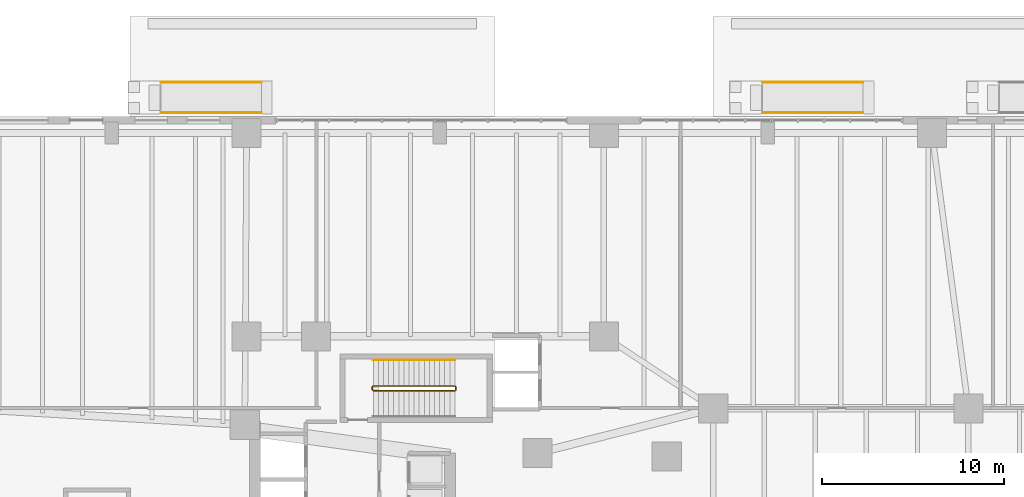
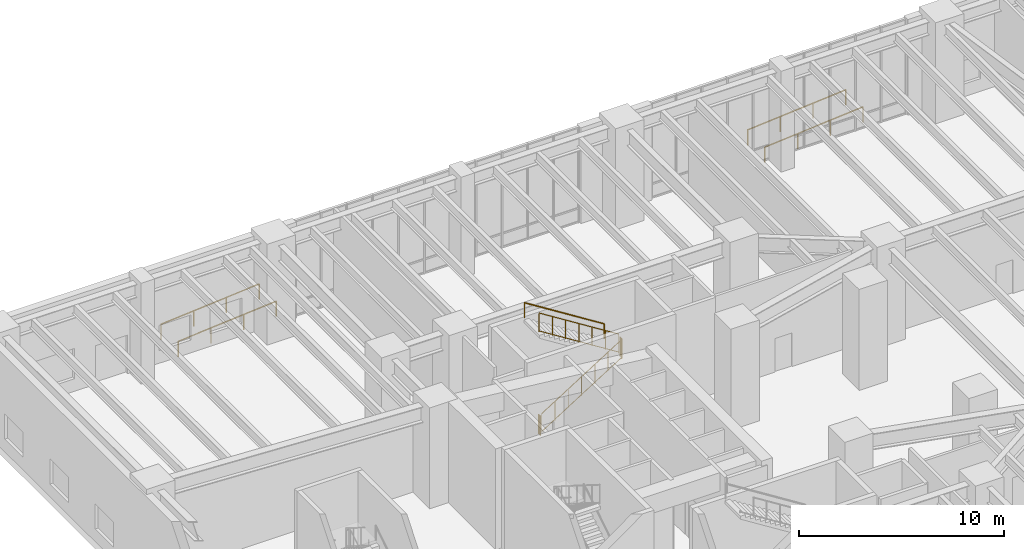
# One storey, part 26 of 28: 9 railings.
"""IFC4 building model written with IfcOpenShell, lengths in metres."""

from ifc_helpers import new_model, si_unit, direction, frame, origin, origin_2d, place, context, subcontext, project, spatial, circle, extrude, material, type_object, element, save


model = new_model("IFC4")

# Units and contexts
model_context = context("Model", 3, precision=1e-05, world=origin(), true_north=direction((0.0, 1.0)))
body_context = subcontext(model_context, "Body", "Model", "MODEL_VIEW")
ifc_project = project(units=[si_unit("LENGTHUNIT", "METRE"), si_unit("AREAUNIT", "SQUARE_METRE"), si_unit("VOLUMEUNIT", "CUBIC_METRE"), si_unit("PLANEANGLEUNIT", "RADIAN"), si_unit("MASSUNIT", "GRAM", prefix="KILO"), si_unit("THERMODYNAMICTEMPERATUREUNIT", "KELVIN"), si_unit("POWERUNIT", "WATT")], contexts=[model_context])

# Site, building, storey
site_placement = place(None, origin())
site = spatial("IfcSite", under=ifc_project, at=site_placement, CompositionType="ELEMENT")
building_placement = place(site_placement, origin())
building = spatial("IfcBuilding", under=site, at=building_placement, Name="Skarre Station Tower", CompositionType="ELEMENT")
storey_placement = place(building_placement, origin())
storey = spatial("IfcBuildingStorey", under=building, at=storey_placement, Name="L01", CompositionType="ELEMENT", Elevation=0.0)

# Railings
ifc_material = material(Name="Powder-Coated Tubular Steel", Category="steel")
railing_type_1 = type_object("IfcRailingType", Name="Painted Steel Ramp & Stair Handrail 920", PredefinedType="HANDRAIL", material=ifc_material)
railing_1_placement = place(storey_placement, frame((27.830078125, 34.64990234375, 3.176513671875)))
element("IfcRailing", 1, at=railing_1_placement, inside=storey, type_object=railing_type_1, Name="L01 ST-3 stair handrail 2", PredefinedType="HANDRAIL", context=body_context, shape_type="SweptSolid", body=[
    extrude(circle(Radius=0.02392578125, at=origin_2d()), frame((0.0, 0.0, 0.8759765625), z_axis=(-0.845997938375, 0.0, 0.533186166611), x_axis=(0.0, -1.0, 0.0)), (0.0, 0.0, 1.0), 5.29541015625),
    extrude(circle(Radius=0.02099609375, at=origin_2d()), origin(), (0.0, 0.0, 1.0), 0.851806640625),
    extrude(circle(Radius=0.02099609375, at=origin_2d()), frame((-4.47998046875, 0.0, 2.823486328125)), (0.0, 0.0, 1.0), 0.851806640625),
])
for number, where, name in (
    (2, (11.699951171875, 48.2099609375, -0.4599609375), "North Forecourt Accessible Ramp Handrail A"),
    (3, (11.699951171875, 49.889892578125, -0.4599609375), "North Forecourt Accessible Ramp Handrail B"),
    (4, (44.699951171875, 48.2099609375, -0.4599609375), "North Hospitality Drop-Off Accessible Ramp Handrail A"),
    (5, (44.699951171875, 49.889892578125, -0.4599609375), "North Hospitality Drop-Off Accessible Ramp Handrail B"),
):
    element("IfcRailing", number, at=place(storey_placement, frame(where)), inside=storey, type_object=railing_type_1, Name=name, PredefinedType="HANDRAIL", context=body_context, shape_type="SweptSolid", body=[
        extrude(circle(Radius=0.02392578125, at=origin_2d()), frame((0.0, 0.0, 0.89599609375), z_axis=(0.996546366156, 0.0, 0.083038184601), x_axis=(0.0, 1.0, 0.0)), (0.0, 0.0, 1.0), 5.5390625),
        extrude(circle(Radius=0.02099609375, at=origin_2d()), origin(), (0.0, 0.0, 1.0), 0.871826171875),
        extrude(circle(Radius=0.02099609375, at=origin_2d()), frame((1.840087890625, 0.0, 0.1533203125)), (0.0, 0.0, 1.0), 0.871826171875),
        extrude(circle(Radius=0.02099609375, at=origin_2d()), frame((3.679931640625, 0.0, 0.306640625)), (0.0, 0.0, 1.0), 0.871826171875),
        extrude(circle(Radius=0.02099609375, at=origin_2d()), frame((5.52001953125, 0.0, 0.4599609375)), (0.0, 0.0, 1.0), 0.871826171875),
    ])
railing_type_2 = type_object("IfcRailingType", Name="Painted Steel Stairwell Guardrail 1100", PredefinedType="GUARDRAIL", material=ifc_material)
railing_2_placement = place(storey_placement, frame((23.35009765625, 32.969970703125, 0.176513671875)))
element("IfcRailing", 6, at=railing_2_placement, inside=storey, type_object=railing_type_2, Name="L01 ST-3 stair guard 1", PredefinedType="GUARDRAIL", context=body_context, shape_type="SweptSolid", body=[
    extrude(circle(Radius=0.02392578125, at=origin_2d()), frame((0.0, 0.0, 1.1259765625), z_axis=(0.845997938375, 0.0, 0.533186166611), x_axis=(0.0, 1.0, 0.0)), (0.0, 0.0, 1.0), 5.29541015625),
    extrude(circle(Radius=0.02099609375, at=origin_2d()), frame((0.0, 0.0, 0.06005859375), z_axis=(0.845997938375, 0.0, 0.533186166611), x_axis=(0.0, 1.0, 0.0)), (0.0, 0.0, 1.0), 5.29541015625),
    extrude(circle(Radius=0.02099609375, at=origin_2d()), origin(), (0.0, 0.0, 1.0), 1.101806640625),
    extrude(circle(Radius=0.02099609375, at=origin_2d()), frame((0.74658203125, 0.0, 0.470703125)), (0.0, 0.0, 1.0), 1.101806640625),
    extrude(circle(Radius=0.02099609375, at=origin_2d()), frame((1.493408203125, 0.0, 0.941162109375)), (0.0, 0.0, 1.0), 1.101806640625),
    extrude(circle(Radius=0.02099609375, at=origin_2d()), frame((2.239990234375, 0.0, 1.41162109375)), (0.0, 0.0, 1.0), 1.101806640625),
    extrude(circle(Radius=0.02099609375, at=origin_2d()), frame((2.986572265625, 0.0, 1.88232421875)), (0.0, 0.0, 1.0), 1.101806640625),
    extrude(circle(Radius=0.02099609375, at=origin_2d()), frame((3.7333984375, 0.0, 2.35302734375)), (0.0, 0.0, 1.0), 1.101806640625),
    extrude(circle(Radius=0.02099609375, at=origin_2d()), frame((4.47998046875, 0.0, 2.823486328125)), (0.0, 0.0, 1.0), 1.101806640625),
])
railing_3_placement = place(storey_placement, frame((27.8798828125, 33.02001953125, 3.0)))
element("IfcRailing", 7, at=railing_3_placement, inside=storey, type_object=railing_type_2, Name="L01 ST-3 stair guard 2", PredefinedType="GUARDRAIL", context=body_context, shape_type="SweptSolid", body=[
    extrude(circle(Radius=0.02392578125, at=origin_2d()), frame((0.0, 0.0, 1.1259765625), z_axis=(0.0, 1.0, 0.0), x_axis=(-1.0, 0.0, 0.0)), (0.0, 0.0, 1.0), 0.159912109375),
    extrude(circle(Radius=0.02099609375, at=origin_2d()), frame((0.0, 0.0, 0.06005859375), z_axis=(0.0, 1.0, 0.0), x_axis=(-1.0, 0.0, 0.0)), (0.0, 0.0, 1.0), 0.159912109375),
    extrude(circle(Radius=0.02099609375, at=origin_2d()), origin(), (0.0, 0.0, 1.0), 1.101806640625),
    extrude(circle(Radius=0.02099609375, at=origin_2d()), frame((0.0, 0.159912109375, 0.0)), (0.0, 0.0, 1.0), 1.101806640625),
])
railing_4_placement = place(storey_placement, frame((27.830078125, 33.22998046875, 3.176513671875)))
element("IfcRailing", 8, at=railing_4_placement, inside=storey, type_object=railing_type_2, Name="L01 ST-3 stair guard 3", PredefinedType="GUARDRAIL", context=body_context, shape_type="SweptSolid", body=[
    extrude(circle(Radius=0.02392578125, at=origin_2d()), frame((0.0, 0.0, 1.1259765625), z_axis=(-0.845997938375, 0.0, 0.533186166611), x_axis=(0.0, -1.0, 0.0)), (0.0, 0.0, 1.0), 5.29541015625),
    extrude(circle(Radius=0.02099609375, at=origin_2d()), frame((0.0, 0.0, 0.06005859375), z_axis=(-0.845997938375, 0.0, 0.533186166611), x_axis=(0.0, -1.0, 0.0)), (0.0, 0.0, 1.0), 5.29541015625),
    extrude(circle(Radius=0.02099609375, at=origin_2d()), origin(), (0.0, 0.0, 1.0), 1.101806640625),
    extrude(circle(Radius=0.02099609375, at=origin_2d()), frame((-0.74658203125, 0.0, 0.470703125)), (0.0, 0.0, 1.0), 1.101806640625),
    extrude(circle(Radius=0.02099609375, at=origin_2d()), frame((-1.493408203125, 0.0, 0.941162109375)), (0.0, 0.0, 1.0), 1.101806640625),
    extrude(circle(Radius=0.02099609375, at=origin_2d()), frame((-2.239990234375, 0.0, 1.41162109375)), (0.0, 0.0, 1.0), 1.101806640625),
    extrude(circle(Radius=0.02099609375, at=origin_2d()), frame((-2.986572265625, 0.0, 1.88232421875)), (0.0, 0.0, 1.0), 1.101806640625),
    extrude(circle(Radius=0.02099609375, at=origin_2d()), frame((-3.7333984375, 0.0, 2.35302734375)), (0.0, 0.0, 1.0), 1.101806640625),
    extrude(circle(Radius=0.02099609375, at=origin_2d()), frame((-4.47998046875, 0.0, 2.823486328125)), (0.0, 0.0, 1.0), 1.101806640625),
])
railing_5_placement = place(storey_placement, frame((23.300048828125, 33.02001953125, 0.0)))
element("IfcRailing", 9, at=railing_5_placement, inside=storey, type_object=railing_type_2, Name="L01 ST-3 stair guard 4", PredefinedType="GUARDRAIL", context=body_context, shape_type="SweptSolid", body=[
    extrude(circle(Radius=0.02392578125, at=origin_2d()), frame((0.0, 0.0, 1.1259765625), z_axis=(0.0, 1.0, 0.0), x_axis=(-1.0, 0.0, 0.0)), (0.0, 0.0, 1.0), 0.159912109375),
    extrude(circle(Radius=0.02099609375, at=origin_2d()), frame((0.0, 0.0, 0.06005859375), z_axis=(0.0, 1.0, 0.0), x_axis=(-1.0, 0.0, 0.0)), (0.0, 0.0, 1.0), 0.159912109375),
    extrude(circle(Radius=0.02099609375, at=origin_2d()), origin(), (0.0, 0.0, 1.0), 1.101806640625),
    extrude(circle(Radius=0.02099609375, at=origin_2d()), frame((0.0, 0.159912109375, 0.0)), (0.0, 0.0, 1.0), 1.101806640625),
])

save(model, "model.ifc")
